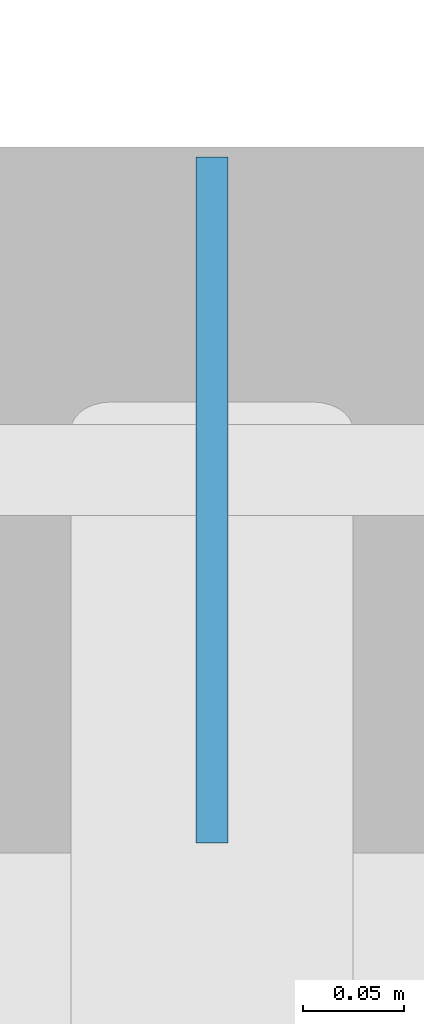
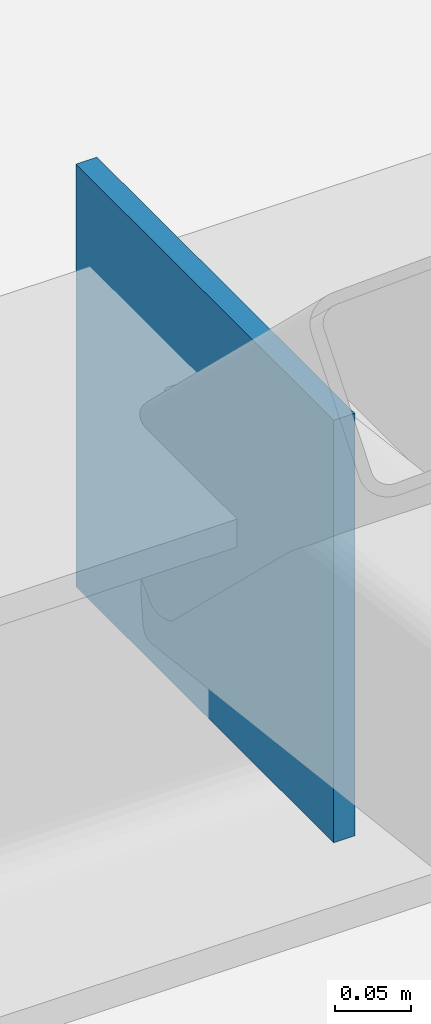
# One storey, part 37 of 77: 1 plate.
"""IFC4 building model written with IfcOpenShell, lengths in metres."""

from ifc_helpers import new_model, si_unit, direction, frame, origin, origin_2d, place, context, subcontext, project, spatial, rectangle, extrude, material, layer, layer_set, type_object, element, save


model = new_model("IFC4")

# Units and contexts
model_context = context("Model", 3, precision=1e-05, world=origin(), true_north=direction((0.0, 1.0)))
body_context = subcontext(model_context, "Body", "Model", "MODEL_VIEW")
ifc_project = project(units=[si_unit("LENGTHUNIT", "METRE"), si_unit("AREAUNIT", "SQUARE_METRE"), si_unit("VOLUMEUNIT", "CUBIC_METRE"), si_unit("PLANEANGLEUNIT", "RADIAN"), si_unit("MASSUNIT", "GRAM", prefix="KILO")], contexts=[model_context])

# Site, building, storey
site_placement = place(None, origin())
site = spatial("IfcSite", under=ifc_project, at=site_placement, CompositionType="ELEMENT")
building_placement = place(site_placement, origin())
building = spatial("IfcBuilding", under=site, at=building_placement, Name="Luwemba Playhouse", CompositionType="ELEMENT")
storey_placement = place(building_placement, frame((0.0, 0.0, 9.300048828125)))
storey = spatial("IfcBuildingStorey", under=building, at=storey_placement, Name="L02", CompositionType="ELEMENT", Elevation=9.300048828125)

# Plate
ifc_material = material(Name="Steel S355", Category="steel")
ifc_layer = layer(ifc_material, 0.01611328125)
ifc_layer_set = layer_set([ifc_layer], Name="Steel S355")
plate_type = type_object("IfcPlateType", Name="PLT-GP1", PredefinedType="USERDEFINED", material=ifc_layer_set)
plate_placement = place(storey_placement, frame((41.142822265625, 68.0, 8.22998046875), z_axis=(0.0, 0.0, 1.0), x_axis=(1.0, 0.0, 0.0)))
element("IfcPlate", 1, at=plate_placement, inside=storey, type_object=plate_type, Name="Truss node gusset cap plate 0021", ObjectType="GUSSET PLATE", PredefinedType="USERDEFINED", context=body_context, shape_type="SweptSolid", body=[
    extrude(rectangle(XDim=0.01611328125, YDim=0.340087890625, at=origin_2d()), origin(), (0.0, 0.0, 1.0), 0.340087890625),
])

save(model, "model.ifc")
